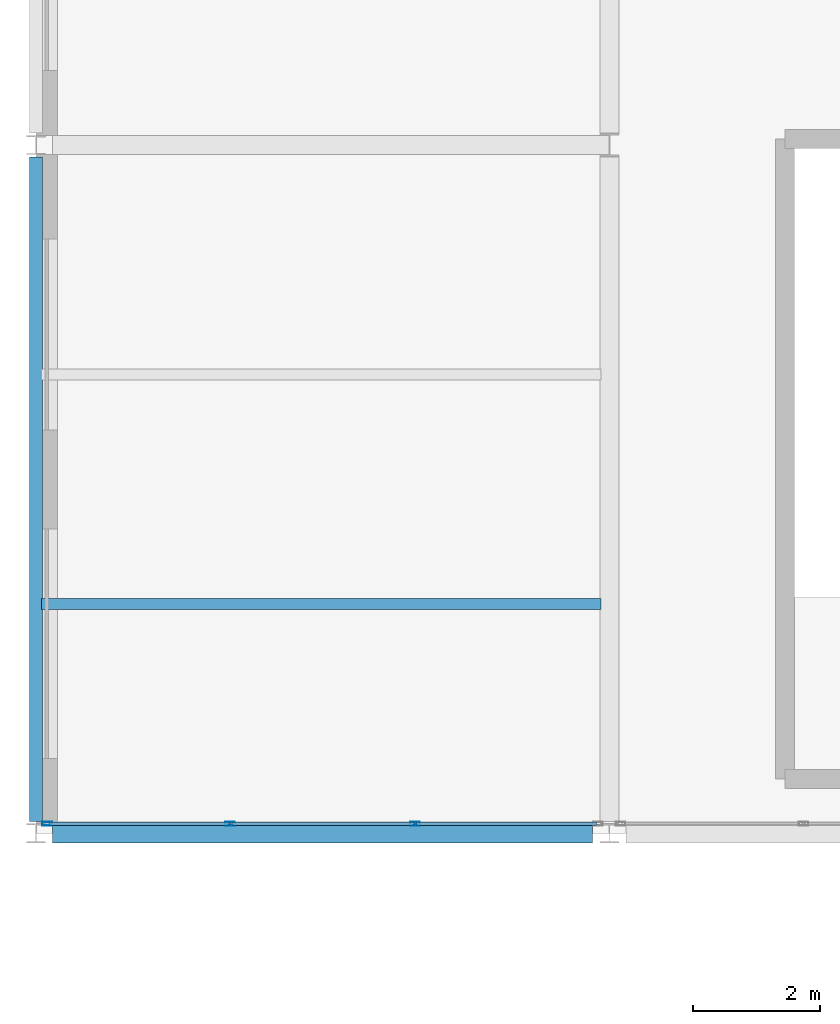
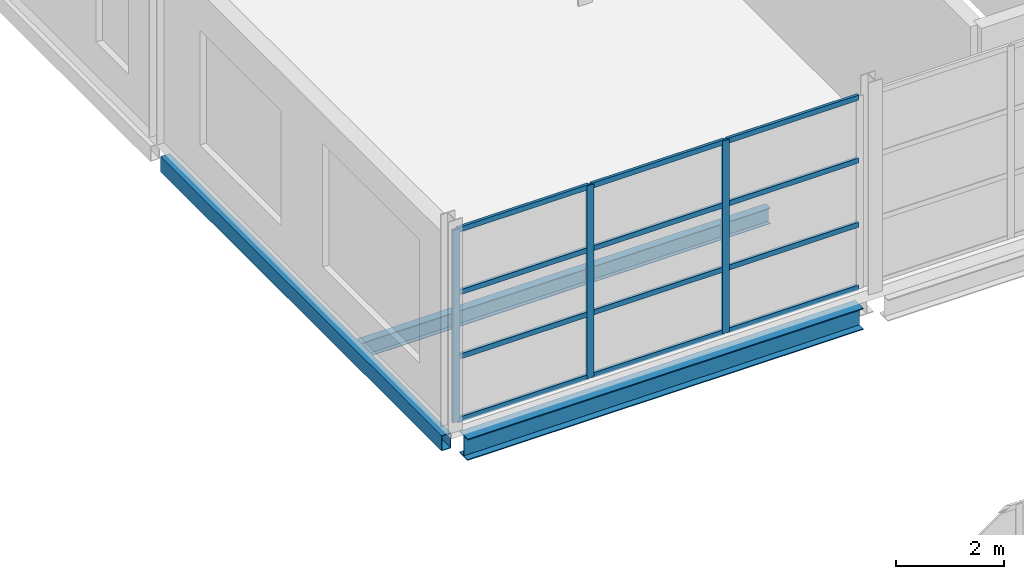
# One storey, part 42 of 134: 15 members, 3 beams, 1 element without a shape of its own.
"""IFC4 building model written with IfcOpenShell, lengths in metres."""

from ifc_helpers import new_model, si_unit, direction, frame, origin, origin_2d, place, context, subcontext, project, spatial, hollow_rectangle, i_section, extrude, material, layer, layer_set, material_profile, profile_set, type_object, element, aggregate, save


model = new_model("IFC4")

# Units and contexts
model_context = context("Model", 3, precision=1e-05, world=origin(), true_north=direction((0.0, 1.0)))
body_context = subcontext(model_context, "Body", "Model", "MODEL_VIEW")
ifc_project = project(units=[si_unit("LENGTHUNIT", "METRE"), si_unit("AREAUNIT", "SQUARE_METRE"), si_unit("VOLUMEUNIT", "CUBIC_METRE"), si_unit("PLANEANGLEUNIT", "RADIAN"), si_unit("MASSUNIT", "GRAM", prefix="KILO")], contexts=[model_context])

# Site, building, storey
site_placement = place(None, origin())
site = spatial("IfcSite", under=ifc_project, at=site_placement, CompositionType="ELEMENT")
building_placement = place(site_placement, origin())
building = spatial("IfcBuilding", under=site, at=building_placement, Name="Tamarisk Ironworks Central Station", CompositionType="ELEMENT")
storey_placement = place(building_placement, frame((0.0, 0.0, 12.60009765625)))
storey = spatial("IfcBuildingStorey", under=building, at=storey_placement, Name="L02", CompositionType="ELEMENT", Elevation=12.60009765625)

# Beams
ifc_material_1 = material(Name="Structural steel S355J2", Category="steel")
ifc_material_profile_1 = material_profile(ifc_material_1, i_section(OverallWidth=0.169921875, OverallDepth=0.360107421875, WebThickness=0.008056640625, FlangeThickness=0.0126953125, at=origin_2d()), Name="IPE 360")
ifc_profile_set_1 = profile_set([ifc_material_profile_1], Name="Structural steel S355J2")
beam_type_1 = type_object("IfcBeamType", Name="BM-B05", PredefinedType="BEAM", material=ifc_profile_set_1)
beam_1_placement = place(storey_placement, frame((0.0849609375, 93.60009765625, -0.43017578125), z_axis=(1.0, 0.0, 0.0), x_axis=(0.0, 1.0, 0.0)))
element("IfcBeam", 1, at=beam_1_placement, inside=storey, type_object=beam_type_1, Name="L02 secondary composite beam 0130", PredefinedType="BEAM", context=body_context, shape_type="SweptSolid", body=[
    extrude(i_section(OverallWidth=0.169921875, OverallDepth=0.360107421875, WebThickness=0.008056640625, FlangeThickness=0.0126953125, at=origin_2d()), origin(), (0.0, 0.0, 1.0), 8.780029296875),
])
ifc_material_profile_2 = material_profile(ifc_material_1, i_section(OverallWidth=0.300048828125, OverallDepth=0.489990234375, WebThickness=0.011962890625, FlangeThickness=0.02294921875, at=origin_2d()), Name="HEA 500")
ifc_profile_set_2 = profile_set([ifc_material_profile_2], Name="Structural steel S355J2")
beam_type_2 = type_object("IfcBeamType", Name="BM-G05", PredefinedType="BEAM", material=ifc_profile_set_2)
beam_2_placement = place(storey_placement, frame((0.262939453125, 90.0, -0.4951171875), z_axis=(1.0, 0.0, 0.0), x_axis=(0.0, 1.0, 0.0)))
element("IfcBeam", 2, at=beam_2_placement, inside=storey, type_object=beam_type_2, Name="L02 primary girder X-0368", PredefinedType="BEAM", context=body_context, shape_type="SweptSolid", body=[
    extrude(i_section(OverallWidth=0.300048828125, OverallDepth=0.489990234375, WebThickness=0.011962890625, FlangeThickness=0.02294921875, at=origin_2d()), origin(), (0.0, 0.0, 1.0), 8.47412109375),
])
ifc_material_profile_3 = material_profile(ifc_material_1, hollow_rectangle(XDim=0.199951171875, YDim=0.35009765625, WallThickness=0.012451171875, at=origin_2d()), Name="RHS 350x200x12.5")
ifc_profile_set_3 = profile_set([ifc_material_profile_3], Name="Structural steel S355J2")
beam_type_3 = type_object("IfcBeamType", Name="BM-SP01", PredefinedType="SPANDREL", material=ifc_profile_set_3)
beam_3_placement = place(storey_placement, frame((0.0, 90.18798828125, -0.425048828125), z_axis=(0.0, 1.0, 0.0), x_axis=(-1.0, 0.0, 0.0)))
element("IfcBeam", 3, at=beam_3_placement, inside=storey, type_object=beam_type_3, Name="L02 primary girder Y-0420", PredefinedType="SPANDREL", context=body_context, shape_type="SweptSolid", body=[
    extrude(hollow_rectangle(XDim=0.199951171875, YDim=0.35009765625, WallThickness=0.012451171875, at=origin_2d()), origin(), (0.0, 0.0, 1.0), 10.424072265625),
])

# Curtain wall, members
ifc_material_2 = material(Name="Anodized aluminium alloy 6063-T6", Category="aluminium")
ifc_layer = layer(ifc_material_2, 0.179931640625)
ifc_layer_set = layer_set([ifc_layer], Name="Anodized aluminium alloy 6063-T6")
curtain_wall_type = type_object("IfcCurtainWallType", Name="CW-11", PredefinedType="USERDEFINED", material=ifc_layer_set)
curtain_wall_placement = place(storey_placement, origin())
curtain_wall = element("IfcCurtainWall", 4, at=curtain_wall_placement, inside=storey, type_object=curtain_wall_type, Name="Pavilion L02 S glazed arcade 00", ObjectType="GLAZED CURTAIN WALL", PredefinedType="USERDEFINED")
ifc_material_profile_4 = material_profile(ifc_material_2, hollow_rectangle(XDim=0.06005859375, YDim=0.14990234375, WallThickness=0.00341796875, at=origin_2d()), Name="ALUM 150x60")
ifc_profile_set_4 = profile_set([ifc_material_profile_4], Name="Anodized aluminium alloy 6063-T6")
member_type_1 = type_object("IfcMemberType", Name="CWM-03", PredefinedType="MULLION", material=ifc_profile_set_4)
member_1_placement = place(storey_placement, frame((0.177978515625, 90.14990234375, 0.0), z_axis=(0.0, 0.0, 1.0), x_axis=(0.0, 1.0, 0.0)))
member_1 = element("IfcMember", 5, at=member_1_placement, type_object=member_type_1, Name="CW11 mullion 1", PredefinedType="MULLION", context=body_context, shape_type="SweptSolid", body=[
    extrude(hollow_rectangle(XDim=0.06005859375, YDim=0.14990234375, WallThickness=0.00341796875, at=origin_2d()), origin(), (0.0, 0.0, 1.0), 4.35986328125),
])
member_2_placement = place(storey_placement, frame((3.04931640625, 90.14990234375, 0.0), z_axis=(0.0, 0.0, 1.0), x_axis=(0.0, 1.0, 0.0)))
member_2 = element("IfcMember", 6, at=member_2_placement, type_object=member_type_1, Name="CW11 mullion 2", PredefinedType="MULLION", context=body_context, shape_type="SweptSolid", body=[
    extrude(hollow_rectangle(XDim=0.06005859375, YDim=0.14990234375, WallThickness=0.00341796875, at=origin_2d()), origin(), (0.0, 0.0, 1.0), 4.35986328125),
])
member_3_placement = place(storey_placement, frame((5.95068359375, 90.14990234375, 0.0), z_axis=(0.0, 0.0, 1.0), x_axis=(0.0, 1.0, 0.0)))
member_3 = element("IfcMember", 7, at=member_3_placement, type_object=member_type_1, Name="CW11 mullion 3", PredefinedType="MULLION", context=body_context, shape_type="SweptSolid", body=[
    extrude(hollow_rectangle(XDim=0.06005859375, YDim=0.14990234375, WallThickness=0.00341796875, at=origin_2d()), origin(), (0.0, 0.0, 1.0), 4.35986328125),
])
ifc_material_profile_5 = material_profile(ifc_material_2, hollow_rectangle(XDim=0.06005859375, YDim=0.114990234375, WallThickness=0.00341796875, at=origin_2d()), Name="ALUM 115x60")
ifc_profile_set_5 = profile_set([ifc_material_profile_5], Name="Anodized aluminium alloy 6063-T6")
member_type_2 = type_object("IfcMemberType", Name="CWT-03", PredefinedType="USERDEFINED", material=ifc_profile_set_5)
member_4_placement = place(storey_placement, frame((0.2041015625, 90.14990234375, 0.02978515625), z_axis=(1.0, 0.0, 0.0), x_axis=(0.0, 1.0, 0.0)))
member_4 = element("IfcMember", 8, at=member_4_placement, type_object=member_type_2, Name="CW11 transom 1.1", ObjectType="TRANSOM", PredefinedType="USERDEFINED", context=body_context, shape_type="SweptSolid", body=[
    extrude(hollow_rectangle(XDim=0.06005859375, YDim=0.114990234375, WallThickness=0.00341796875, at=origin_2d()), origin(), (0.0, 0.0, 1.0), 2.8193359375),
])
member_5_placement = place(storey_placement, frame((0.2041015625, 90.14990234375, 1.453125), z_axis=(1.0, 0.0, 0.0), x_axis=(0.0, 1.0, 0.0)))
member_5 = element("IfcMember", 9, at=member_5_placement, type_object=member_type_2, Name="CW11 transom 1.2", ObjectType="TRANSOM", PredefinedType="USERDEFINED", context=body_context, shape_type="SweptSolid", body=[
    extrude(hollow_rectangle(XDim=0.06005859375, YDim=0.114990234375, WallThickness=0.00341796875, at=origin_2d()), origin(), (0.0, 0.0, 1.0), 2.8193359375),
])
member_6_placement = place(storey_placement, frame((0.2041015625, 90.14990234375, 2.906494140625), z_axis=(1.0, 0.0, 0.0), x_axis=(0.0, 1.0, 0.0)))
member_6 = element("IfcMember", 10, at=member_6_placement, type_object=member_type_2, Name="CW11 transom 1.3", ObjectType="TRANSOM", PredefinedType="USERDEFINED", context=body_context, shape_type="SweptSolid", body=[
    extrude(hollow_rectangle(XDim=0.06005859375, YDim=0.114990234375, WallThickness=0.00341796875, at=origin_2d()), origin(), (0.0, 0.0, 1.0), 2.8193359375),
])
member_7_placement = place(storey_placement, frame((0.2041015625, 90.14990234375, 4.329833984375), z_axis=(1.0, 0.0, 0.0), x_axis=(0.0, 1.0, 0.0)))
member_7 = element("IfcMember", 11, at=member_7_placement, type_object=member_type_2, Name="CW11 transom 1.4", ObjectType="TRANSOM", PredefinedType="USERDEFINED", context=body_context, shape_type="SweptSolid", body=[
    extrude(hollow_rectangle(XDim=0.06005859375, YDim=0.114990234375, WallThickness=0.00341796875, at=origin_2d()), origin(), (0.0, 0.0, 1.0), 2.8193359375),
])
member_8_placement = place(storey_placement, frame((3.075439453125, 90.14990234375, 0.02978515625), z_axis=(1.0, 0.0, 0.0), x_axis=(0.0, 1.0, 0.0)))
member_8 = element("IfcMember", 12, at=member_8_placement, type_object=member_type_2, Name="CW11 transom 2.1", ObjectType="TRANSOM", PredefinedType="USERDEFINED", context=body_context, shape_type="SweptSolid", body=[
    extrude(hollow_rectangle(XDim=0.06005859375, YDim=0.114990234375, WallThickness=0.00341796875, at=origin_2d()), origin(), (0.0, 0.0, 1.0), 2.84912109375),
])
member_9_placement = place(storey_placement, frame((3.075439453125, 90.14990234375, 1.453125), z_axis=(1.0, 0.0, 0.0), x_axis=(0.0, 1.0, 0.0)))
member_9 = element("IfcMember", 13, at=member_9_placement, type_object=member_type_2, Name="CW11 transom 2.2", ObjectType="TRANSOM", PredefinedType="USERDEFINED", context=body_context, shape_type="SweptSolid", body=[
    extrude(hollow_rectangle(XDim=0.06005859375, YDim=0.114990234375, WallThickness=0.00341796875, at=origin_2d()), origin(), (0.0, 0.0, 1.0), 2.84912109375),
])
member_10_placement = place(storey_placement, frame((3.075439453125, 90.14990234375, 2.906494140625), z_axis=(1.0, 0.0, 0.0), x_axis=(0.0, 1.0, 0.0)))
member_10 = element("IfcMember", 14, at=member_10_placement, type_object=member_type_2, Name="CW11 transom 2.3", ObjectType="TRANSOM", PredefinedType="USERDEFINED", context=body_context, shape_type="SweptSolid", body=[
    extrude(hollow_rectangle(XDim=0.06005859375, YDim=0.114990234375, WallThickness=0.00341796875, at=origin_2d()), origin(), (0.0, 0.0, 1.0), 2.84912109375),
])
member_11_placement = place(storey_placement, frame((3.075439453125, 90.14990234375, 4.329833984375), z_axis=(1.0, 0.0, 0.0), x_axis=(0.0, 1.0, 0.0)))
member_11 = element("IfcMember", 15, at=member_11_placement, type_object=member_type_2, Name="CW11 transom 2.4", ObjectType="TRANSOM", PredefinedType="USERDEFINED", context=body_context, shape_type="SweptSolid", body=[
    extrude(hollow_rectangle(XDim=0.06005859375, YDim=0.114990234375, WallThickness=0.00341796875, at=origin_2d()), origin(), (0.0, 0.0, 1.0), 2.84912109375),
])
member_12_placement = place(storey_placement, frame((5.9765625, 90.14990234375, 0.02978515625), z_axis=(1.0, 0.0, 0.0), x_axis=(0.0, 1.0, 0.0)))
member_12 = element("IfcMember", 16, at=member_12_placement, type_object=member_type_2, Name="CW11 transom 3.1", ObjectType="TRANSOM", PredefinedType="USERDEFINED", context=body_context, shape_type="SweptSolid", body=[
    extrude(hollow_rectangle(XDim=0.06005859375, YDim=0.114990234375, WallThickness=0.00341796875, at=origin_2d()), origin(), (0.0, 0.0, 1.0), 2.8193359375),
])
member_13_placement = place(storey_placement, frame((5.9765625, 90.14990234375, 1.453125), z_axis=(1.0, 0.0, 0.0), x_axis=(0.0, 1.0, 0.0)))
member_13 = element("IfcMember", 17, at=member_13_placement, type_object=member_type_2, Name="CW11 transom 3.2", ObjectType="TRANSOM", PredefinedType="USERDEFINED", context=body_context, shape_type="SweptSolid", body=[
    extrude(hollow_rectangle(XDim=0.06005859375, YDim=0.114990234375, WallThickness=0.00341796875, at=origin_2d()), origin(), (0.0, 0.0, 1.0), 2.8193359375),
])
member_14_placement = place(storey_placement, frame((5.9765625, 90.14990234375, 2.906494140625), z_axis=(1.0, 0.0, 0.0), x_axis=(0.0, 1.0, 0.0)))
member_14 = element("IfcMember", 18, at=member_14_placement, type_object=member_type_2, Name="CW11 transom 3.3", ObjectType="TRANSOM", PredefinedType="USERDEFINED", context=body_context, shape_type="SweptSolid", body=[
    extrude(hollow_rectangle(XDim=0.06005859375, YDim=0.114990234375, WallThickness=0.00341796875, at=origin_2d()), origin(), (0.0, 0.0, 1.0), 2.8193359375),
])
member_15_placement = place(storey_placement, frame((5.9765625, 90.14990234375, 4.329833984375), z_axis=(1.0, 0.0, 0.0), x_axis=(0.0, 1.0, 0.0)))
member_15 = element("IfcMember", 19, at=member_15_placement, type_object=member_type_2, Name="CW11 transom 3.4", ObjectType="TRANSOM", PredefinedType="USERDEFINED", context=body_context, shape_type="SweptSolid", body=[
    extrude(hollow_rectangle(XDim=0.06005859375, YDim=0.114990234375, WallThickness=0.00341796875, at=origin_2d()), origin(), (0.0, 0.0, 1.0), 2.8193359375),
])
aggregate(curtain_wall, [member_1, member_2, member_3, member_4, member_5, member_6, member_7, member_8, member_9, member_10, member_11, member_12, member_13, member_14, member_15])

save(model, "model.ifc")
